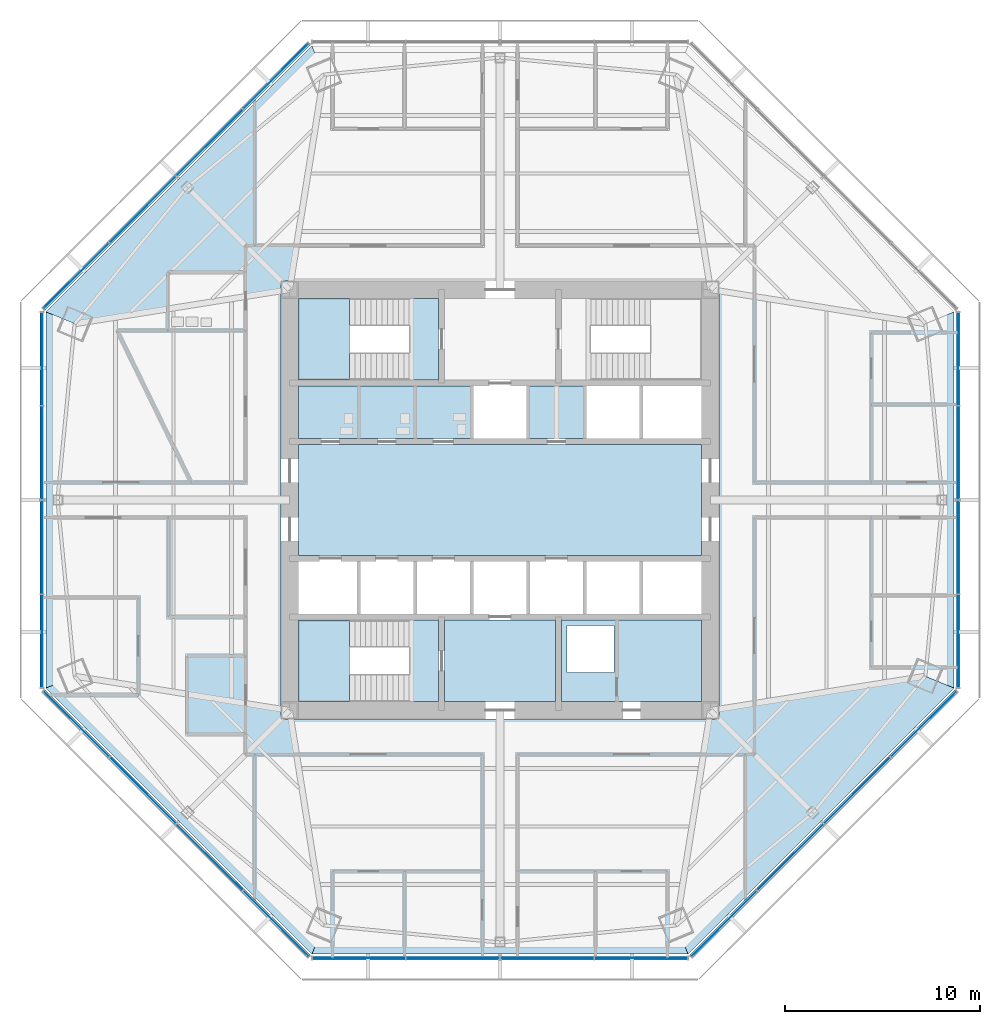
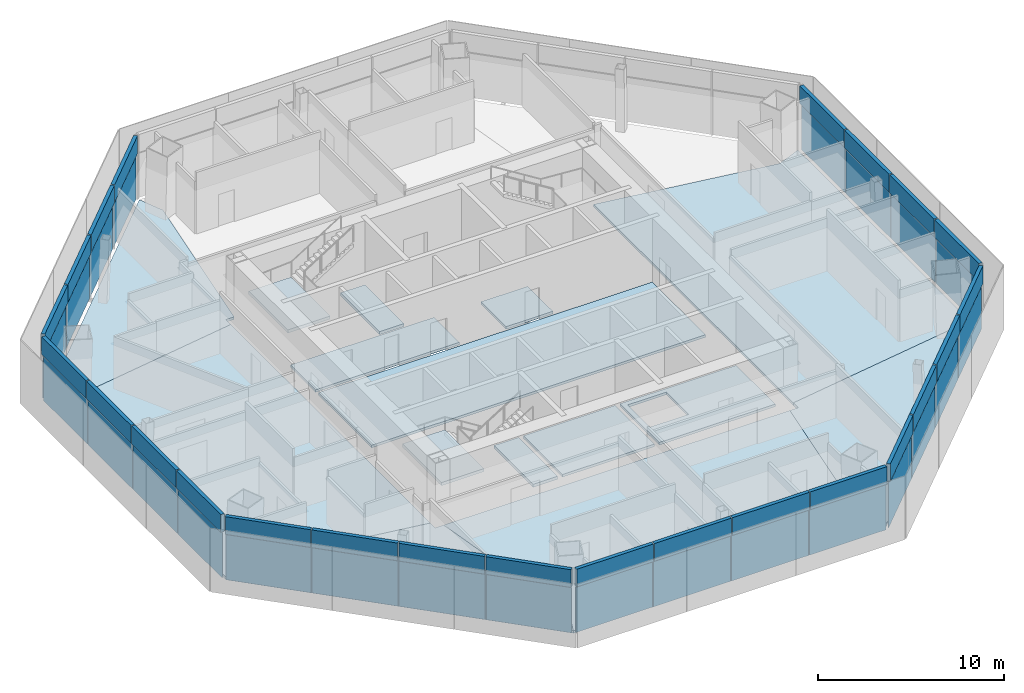
# One storey, part 7 of 15: 48 plates, 15 slabs, 8 elements without a shape of their own.
"""IFC4 building model written with IfcOpenShell, lengths in metres."""

import ifcopenshell
import ifcopenshell.guid

model = None  # the IFC model being written
_history = None  # IfcOwnerHistory: only IFC2X3 demands one
_inside = {}  # id of a spatial element -> (the spatial element, [elements in it])
_under = {}  # id of a project, library or spatial element -> (it, [spatial elements below it])
_declared = {}  # id of a project -> (the project, [libraries it declares])
_typed = {}  # id of a type object -> (the type object, [elements of that type])
_made_of = {}  # id of a material, layer set ... -> (it, [elements and type objects made of it])


def new_model(schema):
    """Start an empty IFC model of exactly this schema.

    Asked for "IFC4X3", IfcOpenShell would pick the latest addendum, in which some entities
    have other attributes; the version numbers below select the first issue.
    IFC2X3 requires an IfcOwnerHistory on every rooted entity: one is made here for all.
    """
    global model, _history
    if schema == "IFC4X3":
        model = ifcopenshell.file(schema_version=(4, 3, 0, 0))
    else:
        model = ifcopenshell.file(schema=schema)
    _inside.clear()
    _under.clear()
    _declared.clear()
    _typed.clear()
    _made_of.clear()
    _history = None
    if model.schema == "IFC2X3":
        org = make("IfcOrganization", Name="unknown")
        user = make(
            "IfcPersonAndOrganization",
            ThePerson=make("IfcPerson", FamilyName="unknown"),
            TheOrganization=org,
        )
        app = make(
            "IfcApplication",
            ApplicationDeveloper=org,
            Version="unknown",
            ApplicationFullName="unknown",
            ApplicationIdentifier="unknown",
        )
        _history = make(
            "IfcOwnerHistory",
            OwningUser=user,
            OwningApplication=app,
            ChangeAction="ADDED",
            CreationDate=0,
        )
    return model


def make(cls, **values):
    """One entity of the class cls with the attributes given. An attribute that is None is left unset."""
    return model.create_entity(
        cls, **{name: value for name, value in values.items() if value is not None}
    )


def rooted(cls, **values):
    """An entity with a GlobalId (a new one), such as an element, a storey or a relation."""
    return make(cls, GlobalId=ifcopenshell.guid.new(), OwnerHistory=_history, **values)


def si_unit(unit_type, name, prefix=None):
    """IfcSIUnit, for example si_unit("LENGTHUNIT", "METRE", prefix="MILLI")."""
    return make("IfcSIUnit", UnitType=unit_type, Prefix=prefix, Name=name)


def assignment(units):
    """IfcUnitAssignment: the units of a project."""
    return None if units is None else make("IfcUnitAssignment", Units=units)


def point(xyz):
    """IfcCartesianPoint."""
    return None if xyz is None else make("IfcCartesianPoint", Coordinates=xyz)


def direction(xyz):
    """IfcDirection."""
    return None if xyz is None else make("IfcDirection", DirectionRatios=xyz)


def frame(location, z_axis=None, x_axis=None):
    """IfcAxis2Placement3D, a coordinate frame: its origin and axes. An axis left out is left unset."""
    return make(
        "IfcAxis2Placement3D",
        Location=point(location),
        Axis=direction(z_axis),
        RefDirection=direction(x_axis),
    )


def frame_2d(location, x_axis=None):
    """IfcAxis2Placement2D, a coordinate frame in the plane: its origin and x axis."""
    return make(
        "IfcAxis2Placement2D", Location=point(location), RefDirection=direction(x_axis)
    )


def origin():
    """The frame at (0, 0, 0) with its axes left unset."""
    return frame((0.0, 0.0, 0.0))


def origin_2d():
    """The frame at (0, 0) in the plane with its x axis left unset."""
    return frame_2d((0.0, 0.0))


def place(relative_to, where):
    """IfcLocalPlacement: puts the frame where relative to a parent placement (None: the world)."""
    return make(
        "IfcLocalPlacement", PlacementRelTo=relative_to, RelativePlacement=where
    )


def context(
    kind, dimensions, precision=None, world=None, true_north=None, identifier=None
):
    """IfcGeometricRepresentationContext, for example the 3D "Model" context."""
    return make(
        "IfcGeometricRepresentationContext",
        ContextIdentifier=identifier,
        ContextType=kind,
        CoordinateSpaceDimension=dimensions,
        Precision=precision,
        WorldCoordinateSystem=world,
        TrueNorth=true_north,
    )


def subcontext(parent, identifier, kind, view, scale=None):
    """IfcGeometricRepresentationSubContext, for example "Body" below "Model"."""
    return make(
        "IfcGeometricRepresentationSubContext",
        ContextIdentifier=identifier,
        ContextType=kind,
        ParentContext=parent,
        TargetScale=scale,
        TargetView=view,
    )


def project(units=None, contexts=None):
    """IfcProject with its units and contexts."""
    return rooted(
        "IfcProject",
        Name="project",
        RepresentationContexts=contexts,
        UnitsInContext=assignment(units),
    )


def spatial(cls, under=None, at=None, **own):
    """A site, building, storey or space (cls), placed at a placement, below another one or the project."""
    s = rooted(cls, ObjectPlacement=at, **own)
    if under is not None:
        _under.setdefault(under.id(), (under, []))[1].append(s)
    return s


def polyline(points):
    """IfcPolyline through the points."""
    return make("IfcPolyline", Points=[point(p) for p in points])


def profile(cls, at=None, kind="AREA", **sizes):
    """A parametric profile (cls). Its sizes go by their IFC names, for example OverallWidth=200.0."""
    return make(cls, ProfileType=kind, Position=at, **sizes)


def rectangle(**sizes):
    """IfcRectangleProfileDef."""
    return profile("IfcRectangleProfileDef", **sizes)


def outline(outer, holes=None, kind="AREA"):
    """IfcArbitraryClosedProfileDef: a profile drawn as a closed curve; with holes, ...WithVoids."""
    if holes is None:
        return make("IfcArbitraryClosedProfileDef", ProfileType=kind, OuterCurve=outer)
    return make(
        "IfcArbitraryProfileDefWithVoids",
        ProfileType=kind,
        OuterCurve=outer,
        InnerCurves=holes,
    )


def extrude(swept, where, along, depth):
    """IfcExtrudedAreaSolid: the profile swept, set in the frame where, extruded along a direction by depth."""
    return make(
        "IfcExtrudedAreaSolid",
        SweptArea=swept,
        Position=where,
        ExtrudedDirection=direction(along),
        Depth=depth,
    )


def shape(context_of_items, identifier, shape_type, items):
    """IfcShapeRepresentation: the items that make up one representation, for example the "Body"."""
    return make(
        "IfcShapeRepresentation",
        ContextOfItems=context_of_items,
        RepresentationIdentifier=identifier,
        RepresentationType=shape_type,
        Items=items,
    )


def source(mapping_origin, context_of_items, identifier, shape_type, items):
    """IfcRepresentationMap: a shape defined once, which mapped items show again and again."""
    return make(
        "IfcRepresentationMap",
        MappingOrigin=mapping_origin,
        MappedRepresentation=shape(context_of_items, identifier, shape_type, items),
    )


def transform(
    local_origin,
    x_axis=None,
    y_axis=None,
    z_axis=None,
    scale=None,
    scale2=None,
    scale3=None,
    uniform=True,
):
    """IfcCartesianTransformationOperator3D, or its non-uniform kind. x_axis, y_axis, z_axis: its Axis1, 2, 3."""
    if uniform:
        return make(
            "IfcCartesianTransformationOperator3D",
            Axis1=direction(x_axis),
            Axis2=direction(y_axis),
            LocalOrigin=point(local_origin),
            Scale=scale,
            Axis3=direction(z_axis),
        )
    return make(
        "IfcCartesianTransformationOperator3DnonUniform",
        Axis1=direction(x_axis),
        Axis2=direction(y_axis),
        LocalOrigin=point(local_origin),
        Scale=scale,
        Axis3=direction(z_axis),
        Scale2=scale2,
        Scale3=scale3,
    )


def mapped(mapping_source, mapping_target):
    """IfcMappedItem: shows the shape of a source again, moved by a transform."""
    return make(
        "IfcMappedItem", MappingSource=mapping_source, MappingTarget=mapping_target
    )


def material(Name=None, Category=None):
    """IfcMaterial."""
    return make("IfcMaterial", Name=Name, Category=Category)


def layer(
    of_material, thickness, ventilated=None, Name=None, Category=None, Priority=None
):
    """IfcMaterialLayer: one layer of a wall or slab, of a material (None: an air gap)."""
    return make(
        "IfcMaterialLayer",
        Material=of_material,
        LayerThickness=thickness,
        IsVentilated=ventilated,
        Name=Name,
        Category=Category,
        Priority=Priority,
    )


def layer_set(layers, Name=None):
    """IfcMaterialLayerSet."""
    return make("IfcMaterialLayerSet", MaterialLayers=layers, LayerSetName=Name)


def made_of(thing, what):
    """Note that an element or type object is made of a material, layer set ...; save() writes the relation."""
    if what is not None:
        _made_of.setdefault(what.id(), (what, []))[1].append(thing)
    return thing


def type_object(cls, material=None, **own):
    """A type object (cls), such as IfcWallType, which elements share."""
    return made_of(rooted(cls, **own), material)


def type_shapes(of_type, sources):
    """Give a type object the sources (RepresentationMaps) that its elements show as mapped items."""
    of_type.RepresentationMaps = sources


def element(
    cls,
    number,
    at=None,
    inside=None,
    cuts=None,
    type_object=None,
    material=None,
    context=None,
    identifier="Body",
    shape_type=None,
    held_by="IfcProductDefinitionShape",
    body=None,
    shapes=None,
    **own,
):
    """One element of the class cls, such as IfcWall. Its Tag is "e" and its number.

    at: its placement. inside: the storey or other place that contains it. cuts: it is an
    opening in that element (IfcRelVoidsElement). A single representation is given by context,
    identifier, shape_type and body (its items); several are given by shapes. held_by: the class
    of the entity that holds the representations. save() writes the other relations.
    """
    e = rooted(cls, Tag="e%d" % number, ObjectPlacement=at, **own)
    if body is not None:
        shapes = [shape(context, identifier, shape_type, body)]
    if shapes is not None:
        e.Representation = make(held_by, Representations=shapes)
    if inside is not None:
        _inside.setdefault(inside.id(), (inside, []))[1].append(e)
    if cuts is not None:
        rooted(
            "IfcRelVoidsElement", RelatingBuildingElement=cuts, RelatedOpeningElement=e
        )
    if type_object is not None:
        _typed.setdefault(type_object.id(), (type_object, []))[1].append(e)
    return made_of(e, material)


def aggregate(whole, parts):
    """IfcRelAggregates: a whole, such as a stair, and the parts it consists of."""
    return rooted("IfcRelAggregates", RelatingObject=whole, RelatedObjects=parts)


def save(model, path):
    """Write the relations noted so far, then the file.

    IfcRelAggregates (storeys below a building ...), IfcRelContainedInSpatialStructure (elements
    in a storey), IfcRelDefinesByType, IfcRelAssociatesMaterial and IfcRelDeclares: one each for
    every whole, place, type object, material and project.
    """
    for whole, parts in _under.values():
        aggregate(whole, parts)
    for where, things in _inside.values():
        rooted(
            "IfcRelContainedInSpatialStructure",
            RelatedElements=things,
            RelatingStructure=where,
        )
    for kind, things in _typed.values():
        rooted("IfcRelDefinesByType", RelatedObjects=things, RelatingType=kind)
    for what, things in _made_of.values():
        rooted("IfcRelAssociatesMaterial", RelatedObjects=things, RelatingMaterial=what)
    for by, libraries in _declared.values():
        rooted("IfcRelDeclares", RelatingContext=by, RelatedDefinitions=libraries)
    model.write(path)


model = new_model("IFC4")

# Units and contexts
model_context = context("Model", 3, precision=1e-05, world=origin(), true_north=direction((0.0, 1.0)))
body_context = subcontext(model_context, "Body", "Model", "MODEL_VIEW")
ifc_project = project(units=[si_unit("LENGTHUNIT", "METRE"), si_unit("AREAUNIT", "SQUARE_METRE"), si_unit("VOLUMEUNIT", "CUBIC_METRE"), si_unit("PLANEANGLEUNIT", "RADIAN"), si_unit("MASSUNIT", "GRAM", prefix="KILO")], contexts=[model_context])

# Site, building, storey
site_placement = place(None, origin())
site = spatial("IfcSite", under=ifc_project, at=site_placement, CompositionType="ELEMENT")
building_placement = place(site_placement, origin())
building = spatial("IfcBuilding", under=site, at=building_placement, Name="Mashrafa Tower", CompositionType="ELEMENT")
storey_placement = place(building_placement, frame((0.0, 0.0, 159.60009765625)))
storey = spatial("IfcBuildingStorey", under=building, at=storey_placement, Name="L36", CompositionType="ELEMENT", Elevation=159.60009765625)

# Slabs
ifc_material_1 = material(Name="Concrete C35/45", Category="concrete")
ifc_layer_1 = layer(ifc_material_1, 0.1650390625)
ifc_layer_set_1 = layer_set([ifc_layer_1], Name="Floor slab 165")
slab_type_1 = type_object("IfcSlabType", Name="Floor slab 165", PredefinedType="FLOOR", material=ifc_layer_set_1)
slab_1_placement = place(storey_placement, frame((0.0, 0.0, -0.1650390625)))
element("IfcSlab", 1, at=slab_1_placement, inside=storey, type_object=slab_type_1, Name="Floor slab L36 east bay", PredefinedType="FLOOR", context=body_context, shape_type="SweptSolid", body=[
    extrude(outline(polyline([(23.2998046875, 9.651123046875), (23.2998046875, -9.651123046875), (23.2998046875, -9.651123046875), (21.826416015625, -9.040771484375), (11.25, -10.728271484375), (11.25, 10.728271484375), (21.826416015625, 9.040771484375), (23.2998046875, 9.651123046875), (23.2998046875, 9.651123046875)])), origin(), (0.0, 0.0, 1.0), 0.1650390625),
])
slab_2_placement = place(storey_placement, frame((0.0, 0.0, -0.1650390625)))
element("IfcSlab", 2, at=slab_2_placement, inside=storey, type_object=slab_type_1, Name="Floor slab L36 north-west bay", PredefinedType="FLOOR", context=body_context, shape_type="SweptSolid", body=[
    extrude(outline(polyline([(-9.651123046875, 23.2998046875), (-9.040771484375, 21.826416015625), (-10.728271484375, 11.25), (-11.25, 11.25), (-11.25, 10.728271484375), (-21.826416015625, 9.040771484375), (-23.2998046875, 9.651123046875), (-9.651123046875, 23.2998046875)])), origin(), (0.0, 0.0, 1.0), 0.1650390625),
])
slab_3_placement = place(storey_placement, frame((0.0, 0.0, -0.1650390625)))
element("IfcSlab", 3, at=slab_3_placement, inside=storey, type_object=slab_type_1, Name="Floor slab L36 west bay", PredefinedType="FLOOR", context=body_context, shape_type="SweptSolid", body=[
    extrude(outline(polyline([(-23.2998046875, -9.651123046875), (-23.2998046875, 9.651123046875), (-23.2998046875, 9.651123046875), (-21.826416015625, 9.040771484375), (-11.25, 10.728271484375), (-11.25, -10.728271484375), (-21.826416015625, -9.040771484375), (-23.2998046875, -9.651123046875), (-23.2998046875, -9.651123046875)])), origin(), (0.0, 0.0, 1.0), 0.1650390625),
])
slab_4_placement = place(storey_placement, frame((0.0, 0.0, -0.1650390625)))
element("IfcSlab", 4, at=slab_4_placement, inside=storey, type_object=slab_type_1, Name="Floor slab L36 south-west bay", PredefinedType="FLOOR", context=body_context, shape_type="SweptSolid", body=[
    extrude(outline(polyline([(-23.2998046875, -9.651123046875), (-21.826416015625, -9.040771484375), (-11.25, -10.728271484375), (-11.25, -11.25), (-10.728271484375, -11.25), (-9.040771484375, -21.826416015625), (-9.651123046875, -23.2998046875), (-23.2998046875, -9.651123046875)])), origin(), (0.0, 0.0, 1.0), 0.1650390625),
])
slab_5_placement = place(storey_placement, frame((0.0, 0.0, -0.1650390625)))
element("IfcSlab", 5, at=slab_5_placement, inside=storey, type_object=slab_type_1, Name="Floor slab L36 south bay", PredefinedType="FLOOR", context=body_context, shape_type="SweptSolid", body=[
    extrude(outline(polyline([(-9.651123046875, -23.2998046875), (-9.651123046875, -23.2998046875), (-9.040771484375, -21.826416015625), (-10.728271484375, -11.25), (10.728271484375, -11.25), (9.040771484375, -21.826416015625), (9.651123046875, -23.2998046875), (9.651123046875, -23.2998046875), (-9.651123046875, -23.2998046875)])), origin(), (0.0, 0.0, 1.0), 0.1650390625),
])
slab_6_placement = place(storey_placement, frame((0.0, 0.0, -0.1650390625)))
element("IfcSlab", 6, at=slab_6_placement, inside=storey, type_object=slab_type_1, Name="Floor slab L36 south-east bay", PredefinedType="FLOOR", context=body_context, shape_type="SweptSolid", body=[
    extrude(outline(polyline([(9.651123046875, -23.2998046875), (9.040771484375, -21.826416015625), (10.728271484375, -11.25), (11.25, -11.25), (11.25, -10.728271484375), (21.826416015625, -9.040771484375), (23.2998046875, -9.651123046875), (9.651123046875, -23.2998046875)])), origin(), (0.0, 0.0, 1.0), 0.1650390625),
])
slab_7_placement = place(storey_placement, frame((0.0, 0.0, -0.1650390625)))
element("IfcSlab", 7, at=slab_7_placement, inside=storey, type_object=slab_type_1, Name="Core floor lift hall L36", PredefinedType="FLOOR", context=body_context, shape_type="SweptSolid", body=[
    extrude(outline(polyline([(-10.35009765625, 2.85009765625), (10.35009765625, 2.85009765625), (10.35009765625, -2.85009765625), (-10.35009765625, -2.85009765625), (-10.35009765625, 2.85009765625)])), origin(), (0.0, 0.0, 1.0), 0.1650390625),
])
slab_8_placement = place(storey_placement, frame((0.0, 0.0, -0.1650390625)))
element("IfcSlab", 8, at=slab_8_placement, inside=storey, type_object=slab_type_1, Name="Core floor riser and electrical band L36", PredefinedType="FLOOR", context=body_context, shape_type="SweptSolid", body=[
    extrude(outline(polyline([(10.35009765625, -6.14990234375), (10.35009765625, -10.35009765625), (3.14990234375, -10.35009765625), (3.14990234375, -6.14990234375), (10.35009765625, -6.14990234375)]), holes=[polyline([(3.449951171875, -8.85009765625), (5.85009765625, -8.85009765625), (5.85009765625, -6.449951171875), (3.449951171875, -6.449951171875), (3.449951171875, -8.85009765625)])]), origin(), (0.0, 0.0, 1.0), 0.1650390625),
])
slab_9_placement = place(storey_placement, frame((0.0, 0.0, -0.1650390625)))
element("IfcSlab", 9, at=slab_9_placement, inside=storey, type_object=slab_type_1, Name="Core floor lift cell L36", PredefinedType="FLOOR", context=body_context, shape_type="SweptSolid", body=[
    extrude(outline(polyline([(-1.449951171875, 3.14990234375), (-10.35009765625, 3.14990234375), (-10.35009765625, 5.85009765625), (-1.449951171875, 5.85009765625), (-1.449951171875, 3.14990234375)])), origin(), (0.0, 0.0, 1.0), 0.1650390625),
])
slab_10_placement = place(storey_placement, frame((0.0, 0.0, -0.1650390625)))
element("IfcSlab", 10, at=slab_10_placement, inside=storey, type_object=slab_type_1, Name="Core floor fire-fighting lobby south L36", PredefinedType="FLOOR", context=body_context, shape_type="SweptSolid", body=[
    extrude(outline(polyline([(2.85009765625, -6.14990234375), (2.85009765625, -10.35009765625), (-2.85009765625, -10.35009765625), (-2.85009765625, -6.14990234375), (2.85009765625, -6.14990234375)])), origin(), (0.0, 0.0, 1.0), 0.1650390625),
])
slab_11_placement = place(storey_placement, frame((0.0, 0.0, -0.1650390625)))
element("IfcSlab", 11, at=slab_11_placement, inside=storey, type_object=slab_type_1, Name="Core floor lift cell L36", PredefinedType="FLOOR", context=body_context, shape_type="SweptSolid", body=[
    extrude(outline(polyline([(4.35009765625, 5.85009765625), (4.35009765625, 3.14990234375), (1.449951171875, 3.14990234375), (1.449951171875, 5.85009765625), (4.35009765625, 5.85009765625)])), origin(), (0.0, 0.0, 1.0), 0.1650390625),
])

# Stair, slabs
ifc_material_2 = material(Name="Exit stair 1400")
stair_type = type_object("IfcStairType", Name="Exit stair 1400", PredefinedType="HALF_TURN_STAIR", material=ifc_material_2)
stair_1_placement = place(storey_placement, origin())
stair_1 = element("IfcStair", 12, at=stair_1_placement, inside=storey, type_object=stair_type, Name="Stair S1 L36", PredefinedType="HALF_TURN_STAIR")
ifc_material_3 = material(Name="Concrete C32/40", Category="concrete")
ifc_layer_2 = layer(ifc_material_3, 0.199951171875)
ifc_layer_set_2 = layer_set([ifc_layer_2], Name="Stair landing 200")
slab_type_2 = type_object("IfcSlabType", Name="Stair landing 200", PredefinedType="LANDING", material=ifc_layer_set_2)
slab_12_placement = place(storey_placement, frame((0.0, 0.0, -0.2001953125)))
slab_12 = element("IfcSlab", 13, at=slab_12_placement, type_object=slab_type_2, Name="S1 landing 1", PredefinedType="LANDING", context=body_context, shape_type="SweptSolid", body=[
    extrude(outline(polyline([(-4.659912109375, 6.14990234375), (-3.14990234375, 6.14990234375), (-3.14990234375, 10.35009765625), (-4.659912109375, 10.35009765625), (-4.659912109375, 6.14990234375)])), origin(), (0.0, 0.0, 1.0), 0.2001953125),
])
slab_13_placement = place(storey_placement, frame((0.0, 0.0, 1.89990234375)))
slab_13 = element("IfcSlab", 14, at=slab_13_placement, type_object=slab_type_2, Name="S1 landing 2", PredefinedType="LANDING", context=body_context, shape_type="SweptSolid", body=[
    extrude(outline(polyline([(-10.35009765625, 6.14990234375), (-7.719970703125, 6.14990234375), (-7.719970703125, 10.35009765625), (-10.35009765625, 10.35009765625), (-10.35009765625, 6.14990234375)])), origin(), (0.0, 0.0, 1.0), 0.199951171875),
])
aggregate(stair_1, [slab_12, slab_13])

stair_2_placement = place(storey_placement, origin())
stair_2 = element("IfcStair", 15, at=stair_2_placement, inside=storey, type_object=stair_type, Name="Stair S3 L36", PredefinedType="HALF_TURN_STAIR")
slab_14_placement = place(storey_placement, frame((0.0, 0.0, -0.2001953125)))
slab_14 = element("IfcSlab", 16, at=slab_14_placement, type_object=slab_type_2, Name="S3 landing 1", PredefinedType="LANDING", context=body_context, shape_type="SweptSolid", body=[
    extrude(outline(polyline([(-4.659912109375, -10.35009765625), (-3.14990234375, -10.35009765625), (-3.14990234375, -6.14990234375), (-4.659912109375, -6.14990234375), (-4.659912109375, -10.35009765625)])), origin(), (0.0, 0.0, 1.0), 0.2001953125),
])
slab_15_placement = place(storey_placement, frame((0.0, 0.0, 1.89990234375)))
slab_15 = element("IfcSlab", 17, at=slab_15_placement, type_object=slab_type_2, Name="S3 landing 2", PredefinedType="LANDING", context=body_context, shape_type="SweptSolid", body=[
    extrude(outline(polyline([(-10.35009765625, -10.35009765625), (-7.719970703125, -10.35009765625), (-7.719970703125, -6.14990234375), (-10.35009765625, -6.14990234375), (-10.35009765625, -10.35009765625)])), origin(), (0.0, 0.0, 1.0), 0.199951171875),
])
aggregate(stair_2, [slab_14, slab_15])

# Curtain wall, plates
ifc_material_4 = material(Name="Unitised aluminium curtain wall", Category="aluminium")
curtain_wall_type = type_object("IfcCurtainWallType", Name="Office curtain wall, zone 2 CW-B 225 deep", PredefinedType="NOTDEFINED", material=ifc_material_4)
curtain_wall_1_placement = place(storey_placement, origin())
curtain_wall_1 = element("IfcCurtainWall", 18, at=curtain_wall_1_placement, inside=storey, type_object=curtain_wall_type, Name="Office curtain wall, zone 2 L36 east", PredefinedType="NOTDEFINED")
ifc_material_5 = material(Name="Insulated double glazing, low-e, neutral", Category="glass")
ifc_layer_3 = layer(ifc_material_5, 0.028076171875)
ifc_layer_set_3 = layer_set([ifc_layer_3], Name="Vision panel CW-B 28")
plate_type_1 = type_object("IfcPlateType", Name="Vision panel CW-B 28", PredefinedType="CURTAIN_PANEL", material=ifc_layer_set_3)
shared_shape_1 = source(origin(), body_context, "Body", "SweptSolid", [
    extrude(rectangle(XDim=4.7412109375, YDim=0.028076171875, at=origin_2d()), origin(), (0.0, 0.0, 1.0), 2.9599609375),
])
plate_1_placement = place(storey_placement, frame((23.499755859375, -7.24169921875, 0.0), z_axis=(0.0, 0.0, 1.0), x_axis=(0.0, 1.0, 0.0)))
plate_1 = element("IfcPlate", 19, at=plate_1_placement, type_object=plate_type_1, Name="CW-B vision panel 1", PredefinedType="CURTAIN_PANEL", context=body_context, shape_type="MappedRepresentation", body=[
    mapped(shared_shape_1, transform((0.0, 0.0, 0.0))),
])
plate_2_placement = place(storey_placement, frame((23.499755859375, 7.24169921875, 0.0), z_axis=(0.0, 0.0, 1.0), x_axis=(0.0, 1.0, 0.0)))
plate_2 = element("IfcPlate", 20, at=plate_2_placement, type_object=plate_type_1, Name="CW-B vision panel 4", PredefinedType="CURTAIN_PANEL", context=body_context, shape_type="MappedRepresentation", body=[
    mapped(shared_shape_1, transform((0.0, 0.0, 0.0))),
])

curtain_wall_2_placement = place(storey_placement, origin())
curtain_wall_2 = element("IfcCurtainWall", 21, at=curtain_wall_2_placement, inside=storey, type_object=curtain_wall_type, Name="Office curtain wall, zone 2 L36 north-west", PredefinedType="NOTDEFINED")
plate_3_placement = place(storey_placement, frame((-11.49609375, 21.737548828125, 0.0), z_axis=(0.0, 0.0, 1.0), x_axis=(-0.707106781187, -0.707106781187, 0.0)))
plate_3 = element("IfcPlate", 22, at=plate_3_placement, type_object=plate_type_1, Name="CW-B vision panel 1", PredefinedType="CURTAIN_PANEL", context=body_context, shape_type="MappedRepresentation", body=[
    mapped(shared_shape_1, transform((0.0, 0.0, 0.0))),
])
plate_4_placement = place(storey_placement, frame((-21.737548828125, 11.49609375, 0.0), z_axis=(0.0, 0.0, 1.0), x_axis=(-0.707106781187, -0.707106781187, 0.0)))
plate_4 = element("IfcPlate", 23, at=plate_4_placement, type_object=plate_type_1, Name="CW-B vision panel 4", PredefinedType="CURTAIN_PANEL", context=body_context, shape_type="MappedRepresentation", body=[
    mapped(shared_shape_1, transform((0.0, 0.0, 0.0))),
])

curtain_wall_3_placement = place(storey_placement, origin())
curtain_wall_3 = element("IfcCurtainWall", 24, at=curtain_wall_3_placement, inside=storey, type_object=curtain_wall_type, Name="Office curtain wall, zone 2 L36 west", PredefinedType="NOTDEFINED")
plate_5_placement = place(storey_placement, frame((-23.499755859375, 7.24169921875, 0.0), z_axis=(0.0, 0.0, 1.0), x_axis=(0.0, -1.0, 0.0)))
plate_5 = element("IfcPlate", 25, at=plate_5_placement, type_object=plate_type_1, Name="CW-B vision panel 1", PredefinedType="CURTAIN_PANEL", context=body_context, shape_type="MappedRepresentation", body=[
    mapped(shared_shape_1, transform((0.0, 0.0, 0.0))),
])
plate_6_placement = place(storey_placement, frame((-23.499755859375, -7.24169921875, 0.0), z_axis=(0.0, 0.0, 1.0), x_axis=(0.0, -1.0, 0.0)))
plate_6 = element("IfcPlate", 26, at=plate_6_placement, type_object=plate_type_1, Name="CW-B vision panel 4", PredefinedType="CURTAIN_PANEL", context=body_context, shape_type="MappedRepresentation", body=[
    mapped(shared_shape_1, transform((0.0, 0.0, 0.0))),
])

curtain_wall_4_placement = place(storey_placement, origin())
curtain_wall_4 = element("IfcCurtainWall", 27, at=curtain_wall_4_placement, inside=storey, type_object=curtain_wall_type, Name="Office curtain wall, zone 2 L36 south-west", PredefinedType="NOTDEFINED")
plate_7_placement = place(storey_placement, frame((-21.737548828125, -11.49609375, 0.0), z_axis=(0.0, 0.0, 1.0), x_axis=(0.707106781187, -0.707106781187, 0.0)))
plate_7 = element("IfcPlate", 28, at=plate_7_placement, type_object=plate_type_1, Name="CW-B vision panel 1", PredefinedType="CURTAIN_PANEL", context=body_context, shape_type="MappedRepresentation", body=[
    mapped(shared_shape_1, transform((0.0, 0.0, 0.0))),
])
plate_8_placement = place(storey_placement, frame((-11.49609375, -21.737548828125, 0.0), z_axis=(0.0, 0.0, 1.0), x_axis=(0.707106781187, -0.707106781187, 0.0)))
plate_8 = element("IfcPlate", 29, at=plate_8_placement, type_object=plate_type_1, Name="CW-B vision panel 4", PredefinedType="CURTAIN_PANEL", context=body_context, shape_type="MappedRepresentation", body=[
    mapped(shared_shape_1, transform((0.0, 0.0, 0.0))),
])

curtain_wall_5_placement = place(storey_placement, origin())
curtain_wall_5 = element("IfcCurtainWall", 30, at=curtain_wall_5_placement, inside=storey, type_object=curtain_wall_type, Name="Office curtain wall, zone 2 L36 south", PredefinedType="NOTDEFINED")
plate_9_placement = place(storey_placement, frame((-7.24169921875, -23.499755859375, 0.0), z_axis=(0.0, 0.0, 1.0), x_axis=(1.0, 0.0, 0.0)))
plate_9 = element("IfcPlate", 31, at=plate_9_placement, type_object=plate_type_1, Name="CW-B vision panel 1", PredefinedType="CURTAIN_PANEL", context=body_context, shape_type="MappedRepresentation", body=[
    mapped(shared_shape_1, transform((0.0, 0.0, 0.0))),
])
plate_10_placement = place(storey_placement, frame((7.24169921875, -23.499755859375, 0.0), z_axis=(0.0, 0.0, 1.0), x_axis=(1.0, 0.0, 0.0)))
plate_10 = element("IfcPlate", 32, at=plate_10_placement, type_object=plate_type_1, Name="CW-B vision panel 4", PredefinedType="CURTAIN_PANEL", context=body_context, shape_type="MappedRepresentation", body=[
    mapped(shared_shape_1, transform((0.0, 0.0, 0.0))),
])

curtain_wall_6_placement = place(storey_placement, origin())
curtain_wall_6 = element("IfcCurtainWall", 33, at=curtain_wall_6_placement, inside=storey, type_object=curtain_wall_type, Name="Office curtain wall, zone 2 L36 south-east", PredefinedType="NOTDEFINED")
plate_11_placement = place(storey_placement, frame((11.49609375, -21.737548828125, 0.0), z_axis=(0.0, 0.0, 1.0), x_axis=(0.707106781187, 0.707106781187, 0.0)))
plate_11 = element("IfcPlate", 34, at=plate_11_placement, type_object=plate_type_1, Name="CW-B vision panel 1", PredefinedType="CURTAIN_PANEL", context=body_context, shape_type="MappedRepresentation", body=[
    mapped(shared_shape_1, transform((0.0, 0.0, 0.0))),
])
plate_12_placement = place(storey_placement, frame((21.737548828125, -11.49609375, 0.0), z_axis=(0.0, 0.0, 1.0), x_axis=(0.707106781187, 0.707106781187, 0.0)))
plate_12 = element("IfcPlate", 35, at=plate_12_placement, type_object=plate_type_1, Name="CW-B vision panel 4", PredefinedType="CURTAIN_PANEL", context=body_context, shape_type="MappedRepresentation", body=[
    mapped(shared_shape_1, transform((0.0, 0.0, 0.0))),
])

# Plate
ifc_material_6 = material(Name="Insulated aluminium spandrel panel", Category="aluminium")
ifc_layer_4 = layer(ifc_material_6, 0.219970703125)
ifc_layer_set_4 = layer_set([ifc_layer_4], Name="Spandrel panel CW-B 220")
plate_type_2 = type_object("IfcPlateType", Name="Spandrel panel CW-B 220", PredefinedType="CURTAIN_PANEL", material=ifc_layer_set_4)
shared_shape_2 = source(origin(), body_context, "Body", "SweptSolid", [
    extrude(rectangle(XDim=4.7412109375, YDim=0.219970703125, at=origin_2d()), origin(), (0.0, 0.0, 1.0), 1.159912109375),
])
plate_13_placement = place(storey_placement, frame((23.499755859375, -7.24169921875, 3.0400390625), z_axis=(0.0, 0.0, 1.0), x_axis=(0.0, 1.0, 0.0)))
plate_13 = element("IfcPlate", 36, at=plate_13_placement, type_object=plate_type_2, Name="CW-B spandrel panel 1", PredefinedType="CURTAIN_PANEL", context=body_context, shape_type="MappedRepresentation", body=[
    mapped(shared_shape_2, transform((0.0, 0.0, 0.0))),
])

plate_14_placement = place(storey_placement, frame((23.499755859375, 7.24169921875, 3.0400390625), z_axis=(0.0, 0.0, 1.0), x_axis=(0.0, 1.0, 0.0)))
plate_14 = element("IfcPlate", 37, at=plate_14_placement, type_object=plate_type_2, Name="CW-B spandrel panel 4", PredefinedType="CURTAIN_PANEL", context=body_context, shape_type="MappedRepresentation", body=[
    mapped(shared_shape_2, transform((0.0, 0.0, 0.0))),
])

plate_15_placement = place(storey_placement, frame((-11.49609375, 21.737548828125, 3.0400390625), z_axis=(0.0, 0.0, 1.0), x_axis=(-0.707106781187, -0.707106781187, 0.0)))
plate_15 = element("IfcPlate", 38, at=plate_15_placement, type_object=plate_type_2, Name="CW-B spandrel panel 1", PredefinedType="CURTAIN_PANEL", context=body_context, shape_type="MappedRepresentation", body=[
    mapped(shared_shape_2, transform((0.0, 0.0, 0.0))),
])

plate_16_placement = place(storey_placement, frame((-21.737548828125, 11.49609375, 3.0400390625), z_axis=(0.0, 0.0, 1.0), x_axis=(-0.707106781187, -0.707106781187, 0.0)))
plate_16 = element("IfcPlate", 39, at=plate_16_placement, type_object=plate_type_2, Name="CW-B spandrel panel 4", PredefinedType="CURTAIN_PANEL", context=body_context, shape_type="MappedRepresentation", body=[
    mapped(shared_shape_2, transform((0.0, 0.0, 0.0))),
])

plate_17_placement = place(storey_placement, frame((-23.499755859375, 7.24169921875, 3.0400390625), z_axis=(0.0, 0.0, 1.0), x_axis=(0.0, -1.0, 0.0)))
plate_17 = element("IfcPlate", 40, at=plate_17_placement, type_object=plate_type_2, Name="CW-B spandrel panel 1", PredefinedType="CURTAIN_PANEL", context=body_context, shape_type="MappedRepresentation", body=[
    mapped(shared_shape_2, transform((0.0, 0.0, 0.0))),
])

plate_18_placement = place(storey_placement, frame((-23.499755859375, -7.24169921875, 3.0400390625), z_axis=(0.0, 0.0, 1.0), x_axis=(0.0, -1.0, 0.0)))
plate_18 = element("IfcPlate", 41, at=plate_18_placement, type_object=plate_type_2, Name="CW-B spandrel panel 4", PredefinedType="CURTAIN_PANEL", context=body_context, shape_type="MappedRepresentation", body=[
    mapped(shared_shape_2, transform((0.0, 0.0, 0.0))),
])

plate_19_placement = place(storey_placement, frame((-21.737548828125, -11.49609375, 3.0400390625), z_axis=(0.0, 0.0, 1.0), x_axis=(0.707106781187, -0.707106781187, 0.0)))
plate_19 = element("IfcPlate", 42, at=plate_19_placement, type_object=plate_type_2, Name="CW-B spandrel panel 1", PredefinedType="CURTAIN_PANEL", context=body_context, shape_type="MappedRepresentation", body=[
    mapped(shared_shape_2, transform((0.0, 0.0, 0.0))),
])

plate_20_placement = place(storey_placement, frame((-11.49609375, -21.737548828125, 3.0400390625), z_axis=(0.0, 0.0, 1.0), x_axis=(0.707106781187, -0.707106781187, 0.0)))
plate_20 = element("IfcPlate", 43, at=plate_20_placement, type_object=plate_type_2, Name="CW-B spandrel panel 4", PredefinedType="CURTAIN_PANEL", context=body_context, shape_type="MappedRepresentation", body=[
    mapped(shared_shape_2, transform((0.0, 0.0, 0.0))),
])

plate_21_placement = place(storey_placement, frame((-7.24169921875, -23.499755859375, 3.0400390625), z_axis=(0.0, 0.0, 1.0), x_axis=(1.0, 0.0, 0.0)))
plate_21 = element("IfcPlate", 44, at=plate_21_placement, type_object=plate_type_2, Name="CW-B spandrel panel 1", PredefinedType="CURTAIN_PANEL", context=body_context, shape_type="MappedRepresentation", body=[
    mapped(shared_shape_2, transform((0.0, 0.0, 0.0))),
])

plate_22_placement = place(storey_placement, frame((7.24169921875, -23.499755859375, 3.0400390625), z_axis=(0.0, 0.0, 1.0), x_axis=(1.0, 0.0, 0.0)))
plate_22 = element("IfcPlate", 45, at=plate_22_placement, type_object=plate_type_2, Name="CW-B spandrel panel 4", PredefinedType="CURTAIN_PANEL", context=body_context, shape_type="MappedRepresentation", body=[
    mapped(shared_shape_2, transform((0.0, 0.0, 0.0))),
])

plate_23_placement = place(storey_placement, frame((11.49609375, -21.737548828125, 3.0400390625), z_axis=(0.0, 0.0, 1.0), x_axis=(0.707106781187, 0.707106781187, 0.0)))
plate_23 = element("IfcPlate", 46, at=plate_23_placement, type_object=plate_type_2, Name="CW-B spandrel panel 1", PredefinedType="CURTAIN_PANEL", context=body_context, shape_type="MappedRepresentation", body=[
    mapped(shared_shape_2, transform((0.0, 0.0, 0.0))),
])

plate_24_placement = place(storey_placement, frame((21.737548828125, -11.49609375, 3.0400390625), z_axis=(0.0, 0.0, 1.0), x_axis=(0.707106781187, 0.707106781187, 0.0)))
plate_24 = element("IfcPlate", 47, at=plate_24_placement, type_object=plate_type_2, Name="CW-B spandrel panel 4", PredefinedType="CURTAIN_PANEL", context=body_context, shape_type="MappedRepresentation", body=[
    mapped(shared_shape_2, transform((0.0, 0.0, 0.0))),
])

shared_shape_3 = source(origin(), body_context, "Body", "SweptSolid", [
    extrude(rectangle(XDim=4.773681640625, YDim=0.028076171875, at=origin_2d()), origin(), (0.0, 0.0, 1.0), 2.9599609375),
])
type_shapes(plate_type_1, [shared_shape_1, shared_shape_3])
plate_25_placement = place(storey_placement, frame((23.499755859375, -2.41943359375, 0.0), z_axis=(0.0, 0.0, 1.0), x_axis=(0.0, 1.0, 0.0)))
plate_25 = element("IfcPlate", 48, at=plate_25_placement, type_object=plate_type_1, Name="CW-B vision panel 2", PredefinedType="CURTAIN_PANEL", context=body_context, shape_type="MappedRepresentation", body=[
    mapped(shared_shape_3, transform((0.0, 0.0, 0.0))),
])

plate_26_placement = place(storey_placement, frame((23.499755859375, 2.41943359375, 0.0), z_axis=(0.0, 0.0, 1.0), x_axis=(0.0, 1.0, 0.0)))
plate_26 = element("IfcPlate", 49, at=plate_26_placement, type_object=plate_type_1, Name="CW-B vision panel 3", PredefinedType="CURTAIN_PANEL", context=body_context, shape_type="MappedRepresentation", body=[
    mapped(shared_shape_3, transform((0.0, 0.0, 0.0))),
])

plate_27_placement = place(storey_placement, frame((-14.90625, 18.32763671875, 0.0), z_axis=(0.0, 0.0, 1.0), x_axis=(-0.707106781187, -0.707106781187, 0.0)))
plate_27 = element("IfcPlate", 50, at=plate_27_placement, type_object=plate_type_1, Name="CW-B vision panel 2", PredefinedType="CURTAIN_PANEL", context=body_context, shape_type="MappedRepresentation", body=[
    mapped(shared_shape_3, transform((0.0, 0.0, 0.0))),
])

plate_28_placement = place(storey_placement, frame((-18.32763671875, 14.90625, 0.0), z_axis=(0.0, 0.0, 1.0), x_axis=(-0.707106781187, -0.707106781187, 0.0)))
plate_28 = element("IfcPlate", 51, at=plate_28_placement, type_object=plate_type_1, Name="CW-B vision panel 3", PredefinedType="CURTAIN_PANEL", context=body_context, shape_type="MappedRepresentation", body=[
    mapped(shared_shape_3, transform((0.0, 0.0, 0.0))),
])

plate_29_placement = place(storey_placement, frame((-23.499755859375, 2.41943359375, 0.0), z_axis=(0.0, 0.0, 1.0), x_axis=(0.0, -1.0, 0.0)))
plate_29 = element("IfcPlate", 52, at=plate_29_placement, type_object=plate_type_1, Name="CW-B vision panel 2", PredefinedType="CURTAIN_PANEL", context=body_context, shape_type="MappedRepresentation", body=[
    mapped(shared_shape_3, transform((0.0, 0.0, 0.0))),
])

plate_30_placement = place(storey_placement, frame((-23.499755859375, -2.41943359375, 0.0), z_axis=(0.0, 0.0, 1.0), x_axis=(0.0, -1.0, 0.0)))
plate_30 = element("IfcPlate", 53, at=plate_30_placement, type_object=plate_type_1, Name="CW-B vision panel 3", PredefinedType="CURTAIN_PANEL", context=body_context, shape_type="MappedRepresentation", body=[
    mapped(shared_shape_3, transform((0.0, 0.0, 0.0))),
])

plate_31_placement = place(storey_placement, frame((-18.32763671875, -14.90625, 0.0), z_axis=(0.0, 0.0, 1.0), x_axis=(0.707106781187, -0.707106781187, 0.0)))
plate_31 = element("IfcPlate", 54, at=plate_31_placement, type_object=plate_type_1, Name="CW-B vision panel 2", PredefinedType="CURTAIN_PANEL", context=body_context, shape_type="MappedRepresentation", body=[
    mapped(shared_shape_3, transform((0.0, 0.0, 0.0))),
])

plate_32_placement = place(storey_placement, frame((-14.90625, -18.32763671875, 0.0), z_axis=(0.0, 0.0, 1.0), x_axis=(0.707106781187, -0.707106781187, 0.0)))
plate_32 = element("IfcPlate", 55, at=plate_32_placement, type_object=plate_type_1, Name="CW-B vision panel 3", PredefinedType="CURTAIN_PANEL", context=body_context, shape_type="MappedRepresentation", body=[
    mapped(shared_shape_3, transform((0.0, 0.0, 0.0))),
])

plate_33_placement = place(storey_placement, frame((-2.41943359375, -23.499755859375, 0.0), z_axis=(0.0, 0.0, 1.0), x_axis=(1.0, 0.0, 0.0)))
plate_33 = element("IfcPlate", 56, at=plate_33_placement, type_object=plate_type_1, Name="CW-B vision panel 2", PredefinedType="CURTAIN_PANEL", context=body_context, shape_type="MappedRepresentation", body=[
    mapped(shared_shape_3, transform((0.0, 0.0, 0.0))),
])

plate_34_placement = place(storey_placement, frame((2.41943359375, -23.499755859375, 0.0), z_axis=(0.0, 0.0, 1.0), x_axis=(1.0, 0.0, 0.0)))
plate_34 = element("IfcPlate", 57, at=plate_34_placement, type_object=plate_type_1, Name="CW-B vision panel 3", PredefinedType="CURTAIN_PANEL", context=body_context, shape_type="MappedRepresentation", body=[
    mapped(shared_shape_3, transform((0.0, 0.0, 0.0))),
])

plate_35_placement = place(storey_placement, frame((14.90625, -18.32763671875, 0.0), z_axis=(0.0, 0.0, 1.0), x_axis=(0.707106781187, 0.707106781187, 0.0)))
plate_35 = element("IfcPlate", 58, at=plate_35_placement, type_object=plate_type_1, Name="CW-B vision panel 2", PredefinedType="CURTAIN_PANEL", context=body_context, shape_type="MappedRepresentation", body=[
    mapped(shared_shape_3, transform((0.0, 0.0, 0.0))),
])

plate_36_placement = place(storey_placement, frame((18.32763671875, -14.90625, 0.0), z_axis=(0.0, 0.0, 1.0), x_axis=(0.707106781187, 0.707106781187, 0.0)))
plate_36 = element("IfcPlate", 59, at=plate_36_placement, type_object=plate_type_1, Name="CW-B vision panel 3", PredefinedType="CURTAIN_PANEL", context=body_context, shape_type="MappedRepresentation", body=[
    mapped(shared_shape_3, transform((0.0, 0.0, 0.0))),
])

shared_shape_4 = source(origin(), body_context, "Body", "SweptSolid", [
    extrude(rectangle(XDim=4.773681640625, YDim=0.219970703125, at=origin_2d()), origin(), (0.0, 0.0, 1.0), 1.159912109375),
])
type_shapes(plate_type_2, [shared_shape_2, shared_shape_4])
plate_37_placement = place(storey_placement, frame((23.499755859375, -2.41943359375, 3.0400390625), z_axis=(0.0, 0.0, 1.0), x_axis=(0.0, 1.0, 0.0)))
plate_37 = element("IfcPlate", 60, at=plate_37_placement, type_object=plate_type_2, Name="CW-B spandrel panel 2", PredefinedType="CURTAIN_PANEL", context=body_context, shape_type="MappedRepresentation", body=[
    mapped(shared_shape_4, transform((0.0, 0.0, 0.0))),
])

plate_38_placement = place(storey_placement, frame((23.499755859375, 2.41943359375, 3.0400390625), z_axis=(0.0, 0.0, 1.0), x_axis=(0.0, 1.0, 0.0)))
plate_38 = element("IfcPlate", 61, at=plate_38_placement, type_object=plate_type_2, Name="CW-B spandrel panel 3", PredefinedType="CURTAIN_PANEL", context=body_context, shape_type="MappedRepresentation", body=[
    mapped(shared_shape_4, transform((0.0, 0.0, 0.0))),
])

aggregate(curtain_wall_1, [plate_1, plate_13, plate_25, plate_37, plate_26, plate_38, plate_2, plate_14])

plate_39_placement = place(storey_placement, frame((-14.90625, 18.32763671875, 3.0400390625), z_axis=(0.0, 0.0, 1.0), x_axis=(-0.707106781187, -0.707106781187, 0.0)))
plate_39 = element("IfcPlate", 62, at=plate_39_placement, type_object=plate_type_2, Name="CW-B spandrel panel 2", PredefinedType="CURTAIN_PANEL", context=body_context, shape_type="MappedRepresentation", body=[
    mapped(shared_shape_4, transform((0.0, 0.0, 0.0))),
])

plate_40_placement = place(storey_placement, frame((-18.32763671875, 14.90625, 3.0400390625), z_axis=(0.0, 0.0, 1.0), x_axis=(-0.707106781187, -0.707106781187, 0.0)))
plate_40 = element("IfcPlate", 63, at=plate_40_placement, type_object=plate_type_2, Name="CW-B spandrel panel 3", PredefinedType="CURTAIN_PANEL", context=body_context, shape_type="MappedRepresentation", body=[
    mapped(shared_shape_4, transform((0.0, 0.0, 0.0))),
])

aggregate(curtain_wall_2, [plate_3, plate_15, plate_27, plate_39, plate_28, plate_40, plate_4, plate_16])

plate_41_placement = place(storey_placement, frame((-23.499755859375, 2.41943359375, 3.0400390625), z_axis=(0.0, 0.0, 1.0), x_axis=(0.0, -1.0, 0.0)))
plate_41 = element("IfcPlate", 64, at=plate_41_placement, type_object=plate_type_2, Name="CW-B spandrel panel 2", PredefinedType="CURTAIN_PANEL", context=body_context, shape_type="MappedRepresentation", body=[
    mapped(shared_shape_4, transform((0.0, 0.0, 0.0))),
])

plate_42_placement = place(storey_placement, frame((-23.499755859375, -2.41943359375, 3.0400390625), z_axis=(0.0, 0.0, 1.0), x_axis=(0.0, -1.0, 0.0)))
plate_42 = element("IfcPlate", 65, at=plate_42_placement, type_object=plate_type_2, Name="CW-B spandrel panel 3", PredefinedType="CURTAIN_PANEL", context=body_context, shape_type="MappedRepresentation", body=[
    mapped(shared_shape_4, transform((0.0, 0.0, 0.0))),
])

aggregate(curtain_wall_3, [plate_5, plate_17, plate_29, plate_41, plate_30, plate_42, plate_6, plate_18])

plate_43_placement = place(storey_placement, frame((-18.32763671875, -14.90625, 3.0400390625), z_axis=(0.0, 0.0, 1.0), x_axis=(0.707106781187, -0.707106781187, 0.0)))
plate_43 = element("IfcPlate", 66, at=plate_43_placement, type_object=plate_type_2, Name="CW-B spandrel panel 2", PredefinedType="CURTAIN_PANEL", context=body_context, shape_type="MappedRepresentation", body=[
    mapped(shared_shape_4, transform((0.0, 0.0, 0.0))),
])

plate_44_placement = place(storey_placement, frame((-14.90625, -18.32763671875, 3.0400390625), z_axis=(0.0, 0.0, 1.0), x_axis=(0.707106781187, -0.707106781187, 0.0)))
plate_44 = element("IfcPlate", 67, at=plate_44_placement, type_object=plate_type_2, Name="CW-B spandrel panel 3", PredefinedType="CURTAIN_PANEL", context=body_context, shape_type="MappedRepresentation", body=[
    mapped(shared_shape_4, transform((0.0, 0.0, 0.0))),
])

aggregate(curtain_wall_4, [plate_7, plate_19, plate_31, plate_43, plate_32, plate_44, plate_8, plate_20])

plate_45_placement = place(storey_placement, frame((-2.41943359375, -23.499755859375, 3.0400390625), z_axis=(0.0, 0.0, 1.0), x_axis=(1.0, 0.0, 0.0)))
plate_45 = element("IfcPlate", 68, at=plate_45_placement, type_object=plate_type_2, Name="CW-B spandrel panel 2", PredefinedType="CURTAIN_PANEL", context=body_context, shape_type="MappedRepresentation", body=[
    mapped(shared_shape_4, transform((0.0, 0.0, 0.0))),
])

plate_46_placement = place(storey_placement, frame((2.41943359375, -23.499755859375, 3.0400390625), z_axis=(0.0, 0.0, 1.0), x_axis=(1.0, 0.0, 0.0)))
plate_46 = element("IfcPlate", 69, at=plate_46_placement, type_object=plate_type_2, Name="CW-B spandrel panel 3", PredefinedType="CURTAIN_PANEL", context=body_context, shape_type="MappedRepresentation", body=[
    mapped(shared_shape_4, transform((0.0, 0.0, 0.0))),
])

aggregate(curtain_wall_5, [plate_9, plate_21, plate_33, plate_45, plate_34, plate_46, plate_10, plate_22])

plate_47_placement = place(storey_placement, frame((14.90625, -18.32763671875, 3.0400390625), z_axis=(0.0, 0.0, 1.0), x_axis=(0.707106781187, 0.707106781187, 0.0)))
plate_47 = element("IfcPlate", 70, at=plate_47_placement, type_object=plate_type_2, Name="CW-B spandrel panel 2", PredefinedType="CURTAIN_PANEL", context=body_context, shape_type="MappedRepresentation", body=[
    mapped(shared_shape_4, transform((0.0, 0.0, 0.0))),
])

plate_48_placement = place(storey_placement, frame((18.32763671875, -14.90625, 3.0400390625), z_axis=(0.0, 0.0, 1.0), x_axis=(0.707106781187, 0.707106781187, 0.0)))
plate_48 = element("IfcPlate", 71, at=plate_48_placement, type_object=plate_type_2, Name="CW-B spandrel panel 3", PredefinedType="CURTAIN_PANEL", context=body_context, shape_type="MappedRepresentation", body=[
    mapped(shared_shape_4, transform((0.0, 0.0, 0.0))),
])

aggregate(curtain_wall_6, [plate_11, plate_23, plate_35, plate_47, plate_36, plate_48, plate_12, plate_24])

save(model, "model.ifc")
